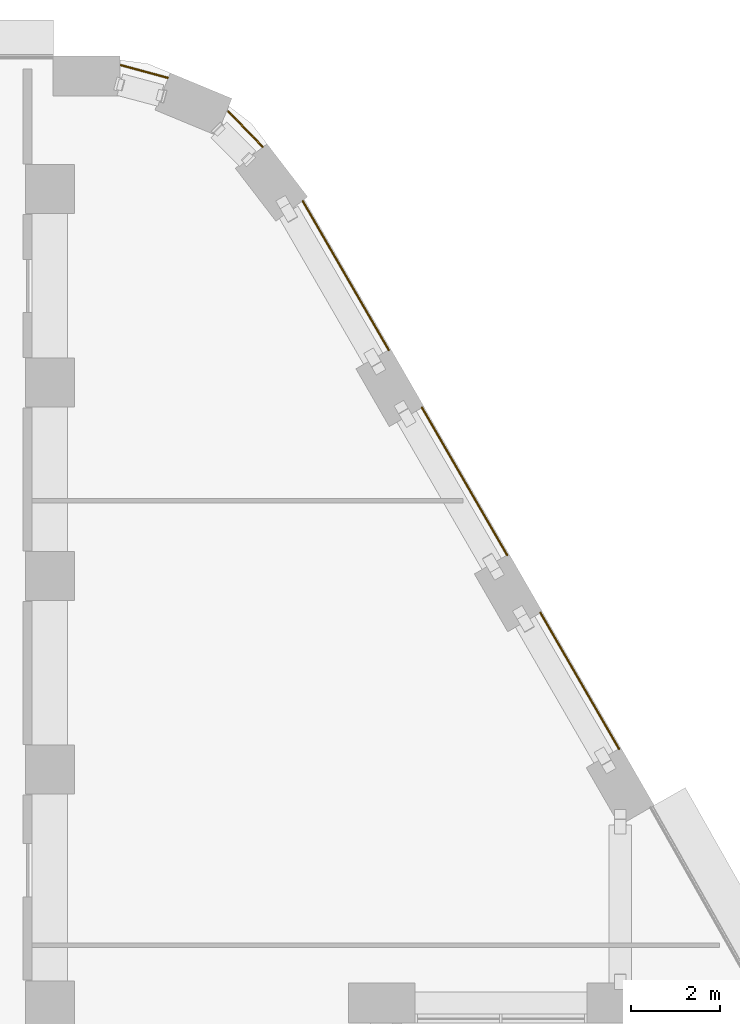
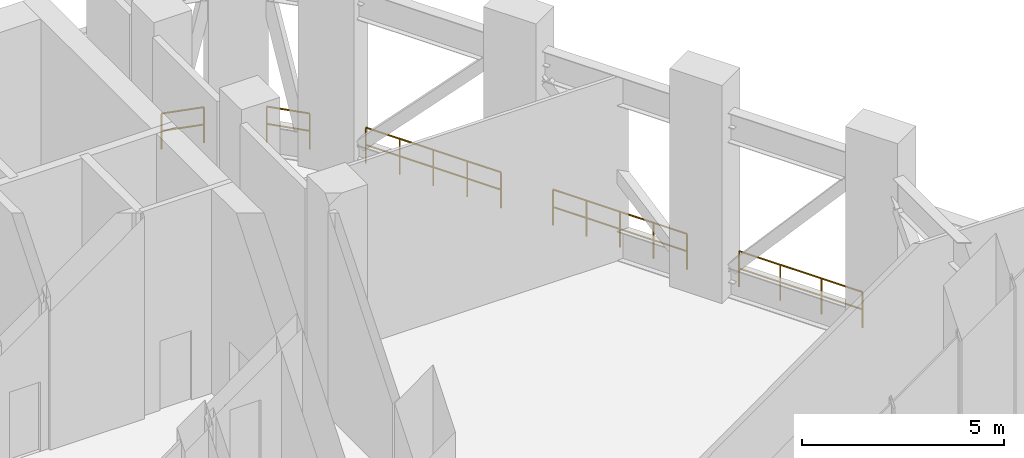
# One storey, part 20 of 20: 5 railings.
"""IFC4 building model written with IfcOpenShell, lengths in metres."""

from ifc_helpers import new_model, si_unit, direction, frame, origin, origin_2d, place, context, subcontext, project, spatial, circle, extrude, material, type_object, element, save


model = new_model("IFC4")

# Units and contexts
model_context = context("Model", 3, precision=1e-05, world=origin(), true_north=direction((0.0, 1.0)))
body_context = subcontext(model_context, "Body", "Model", "MODEL_VIEW")
ifc_project = project(units=[si_unit("LENGTHUNIT", "METRE"), si_unit("AREAUNIT", "SQUARE_METRE"), si_unit("VOLUMEUNIT", "CUBIC_METRE"), si_unit("PLANEANGLEUNIT", "RADIAN"), si_unit("MASSUNIT", "GRAM", prefix="KILO")], contexts=[model_context])

# Site, building, storey
site_placement = place(None, origin())
site = spatial("IfcSite", under=ifc_project, at=site_placement, CompositionType="ELEMENT")
building_placement = place(site_placement, origin())
building = spatial("IfcBuilding", under=site, at=building_placement, Name="Nakaniwa Court", CompositionType="ELEMENT")
storey_placement = place(building_placement, frame((0.0, 0.0, 71.10009765625)))
storey = spatial("IfcBuildingStorey", under=building, at=storey_placement, Name="S1", CompositionType="ELEMENT", Elevation=71.10009765625)

# Railings
ifc_material = material(Name="Black powder-coated steel flat bar balustrade S275", Category="steel")
railing_type = type_object("IfcRailingType", Name="Black metal terrace guard 1100", PredefinedType="GUARDRAIL", material=ifc_material)
railing_1_placement = place(storey_placement, frame((102.796142578125, 88.415771484375, 0.0)))
element("IfcRailing", 1, at=railing_1_placement, inside=storey, type_object=railing_type, Name="S1 refuge band guard 03", PredefinedType="GUARDRAIL", context=body_context, shape_type="SweptSolid", body=[
    extrude(circle(Radius=0.02392578125, at=origin_2d()), frame((0.0, 0.0, 1.076171875), z_axis=(-0.499977402622, 0.866038449993, 0.0), x_axis=(-0.866038449993, -0.499977402622, 0.0)), (0.0, 0.0, 1.0), 3.536865234375),
    extrude(circle(Radius=0.02392578125, at=origin_2d()), frame((0.0, 0.0, 0.550048828125), z_axis=(-0.499977402622, 0.866038449993, 0.0), x_axis=(-0.866038449993, -0.499977402622, 0.0)), (0.0, 0.0, 1.0), 3.536865234375),
    extrude(circle(Radius=0.02099609375, at=origin_2d()), origin(), (0.0, 0.0, 1.0), 1.052001953125),
    extrude(circle(Radius=0.02099609375, at=origin_2d()), frame((-0.58935546875, 1.02099609375, 0.0)), (0.0, 0.0, 1.0), 1.052001953125),
    extrude(circle(Radius=0.02099609375, at=origin_2d()), frame((-1.178955078125, 2.0419921875, 0.0)), (0.0, 0.0, 1.0), 1.052001953125),
    extrude(circle(Radius=0.02099609375, at=origin_2d()), frame((-1.768310546875, 3.06298828125, 0.0)), (0.0, 0.0, 1.0), 1.052001953125),
])
railing_2_placement = place(storey_placement, frame((100.281982421875, 92.770751953125, 0.0)))
element("IfcRailing", 2, at=railing_2_placement, inside=storey, type_object=railing_type, Name="S1 refuge band guard 04", PredefinedType="GUARDRAIL", context=body_context, shape_type="SweptSolid", body=[
    extrude(circle(Radius=0.02392578125, at=origin_2d()), frame((0.0, 0.0, 1.076171875), z_axis=(-0.500001735503, 0.866024401789, 0.0), x_axis=(-0.866024401789, -0.500001735503, 0.0)), (0.0, 0.0, 1.0), 3.833984375),
    extrude(circle(Radius=0.02392578125, at=origin_2d()), frame((0.0, 0.0, 0.550048828125), z_axis=(-0.500001735503, 0.866024401789, 0.0), x_axis=(-0.866024401789, -0.500001735503, 0.0)), (0.0, 0.0, 1.0), 3.833984375),
    extrude(circle(Radius=0.02099609375, at=origin_2d()), origin(), (0.0, 0.0, 1.0), 1.052001953125),
    extrude(circle(Radius=0.02099609375, at=origin_2d()), frame((-0.479248046875, 0.830078125, 0.0)), (0.0, 0.0, 1.0), 1.052001953125),
    extrude(circle(Radius=0.02099609375, at=origin_2d()), frame((-0.95849609375, 1.66015625, 0.0)), (0.0, 0.0, 1.0), 1.052001953125),
    extrude(circle(Radius=0.02099609375, at=origin_2d()), frame((-1.437744140625, 2.490234375, 0.0)), (0.0, 0.0, 1.0), 1.052001953125),
    extrude(circle(Radius=0.02099609375, at=origin_2d()), frame((-1.9169921875, 3.3203125, 0.0)), (0.0, 0.0, 1.0), 1.052001953125),
])
railing_3_placement = place(storey_placement, frame((97.618896484375, 97.383056640625, 0.0)))
element("IfcRailing", 3, at=railing_3_placement, inside=storey, type_object=railing_type, Name="S1 refuge band guard 05", PredefinedType="GUARDRAIL", context=body_context, shape_type="SweptSolid", body=[
    extrude(circle(Radius=0.02392578125, at=origin_2d()), frame((0.0, 0.0, 1.076171875), z_axis=(-0.499995691662, 0.86602789119, 0.0), x_axis=(-0.86602789119, -0.499995691662, 0.0)), (0.0, 0.0, 1.0), 3.8671875),
    extrude(circle(Radius=0.02392578125, at=origin_2d()), frame((0.0, 0.0, 0.550048828125), z_axis=(-0.499995691662, 0.86602789119, 0.0), x_axis=(-0.86602789119, -0.499995691662, 0.0)), (0.0, 0.0, 1.0), 3.8671875),
    extrude(circle(Radius=0.02099609375, at=origin_2d()), origin(), (0.0, 0.0, 1.0), 1.052001953125),
    extrude(circle(Radius=0.02099609375, at=origin_2d()), frame((-0.4833984375, 0.83740234375, 0.0)), (0.0, 0.0, 1.0), 1.052001953125),
    extrude(circle(Radius=0.02099609375, at=origin_2d()), frame((-0.966796875, 1.674560546875, 0.0)), (0.0, 0.0, 1.0), 1.052001953125),
    extrude(circle(Radius=0.02099609375, at=origin_2d()), frame((-1.4501953125, 2.51171875, 0.0)), (0.0, 0.0, 1.0), 1.052001953125),
    extrude(circle(Radius=0.02099609375, at=origin_2d()), frame((-1.93359375, 3.34912109375, 0.0)), (0.0, 0.0, 1.0), 1.052001953125),
])
railing_4_placement = place(storey_placement, frame((94.784423828125, 101.952392578125, 0.0)))
element("IfcRailing", 4, at=railing_4_placement, inside=storey, type_object=railing_type, Name="S1 refuge band guard 06", PredefinedType="GUARDRAIL", context=body_context, shape_type="SweptSolid", body=[
    extrude(circle(Radius=0.02392578125, at=origin_2d()), frame((0.0, 0.0, 1.076171875), z_axis=(-0.696138968055, 0.717907053285, 0.0), x_axis=(-0.717907053285, -0.696138968055, 0.0)), (0.0, 0.0, 1.0), 1.1103515625),
    extrude(circle(Radius=0.02392578125, at=origin_2d()), frame((0.0, 0.0, 0.550048828125), z_axis=(-0.696138968055, 0.717907053285, 0.0), x_axis=(-0.717907053285, -0.696138968055, 0.0)), (0.0, 0.0, 1.0), 1.1103515625),
    extrude(circle(Radius=0.02099609375, at=origin_2d()), origin(), (0.0, 0.0, 1.0), 1.052001953125),
    extrude(circle(Radius=0.02099609375, at=origin_2d()), frame((-0.77294921875, 0.797119140625, 0.0)), (0.0, 0.0, 1.0), 1.052001953125),
])
railing_5_placement = place(storey_placement, frame((92.65185546875, 103.50341796875, 0.0)))
element("IfcRailing", 5, at=railing_5_placement, inside=storey, type_object=railing_type, Name="S1 refuge band guard 07", PredefinedType="GUARDRAIL", context=body_context, shape_type="SweptSolid", body=[
    extrude(circle(Radius=0.02392578125, at=origin_2d()), frame((0.0, 0.0, 1.076171875), z_axis=(-0.965185262654, 0.261567216516, 0.0), x_axis=(-0.261567216516, -0.965185262654, 0.0)), (0.0, 0.0, 1.0), 1.093017578125),
    extrude(circle(Radius=0.02392578125, at=origin_2d()), frame((0.0, 0.0, 0.550048828125), z_axis=(-0.965185262654, 0.261567216516, 0.0), x_axis=(-0.261567216516, -0.965185262654, 0.0)), (0.0, 0.0, 1.0), 1.093017578125),
    extrude(circle(Radius=0.02099609375, at=origin_2d()), origin(), (0.0, 0.0, 1.0), 1.052001953125),
    extrude(circle(Radius=0.02099609375, at=origin_2d()), frame((-1.054931640625, 0.285888671875, 0.0)), (0.0, 0.0, 1.0), 1.052001953125),
])

save(model, "model.ifc")
